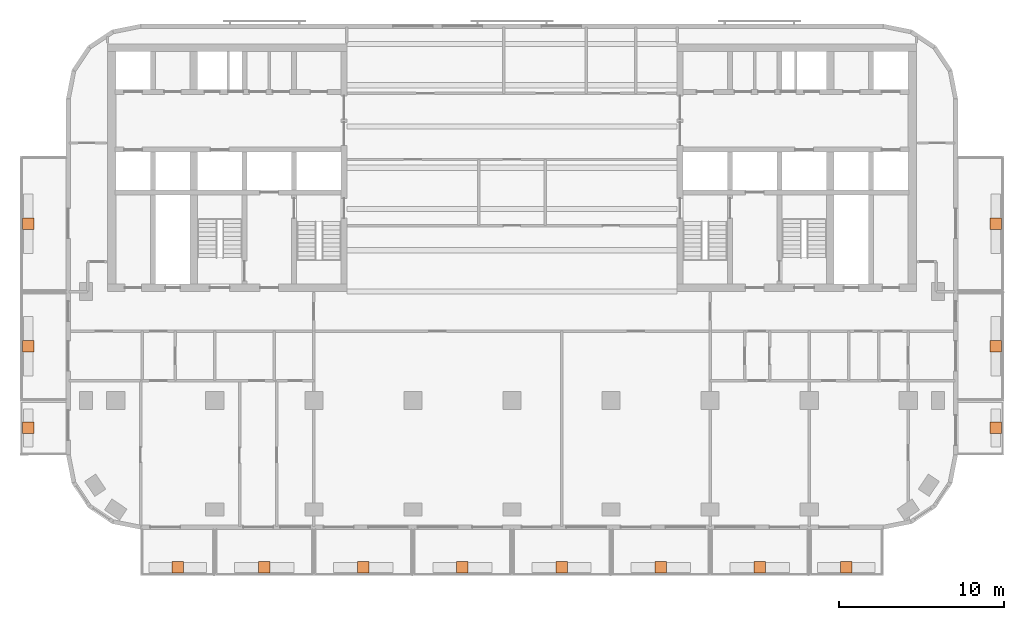
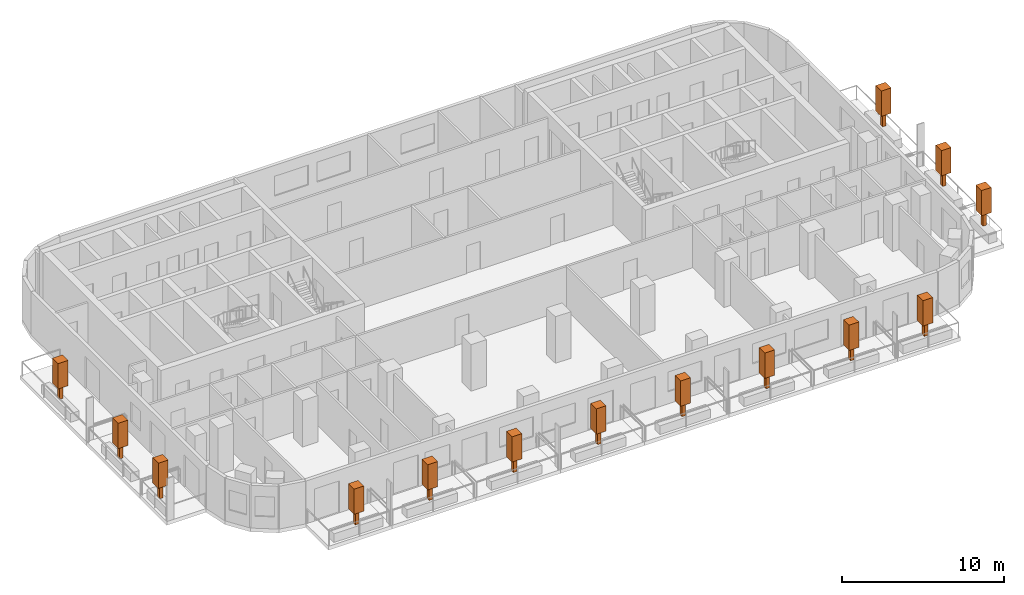
# One storey, part 11 of 11: 14 geographic elements.
"""IFC4 building model written with IfcOpenShell, lengths in metres."""

from ifc_helpers import new_model, si_unit, direction, frame, origin, origin_2d, place, context, subcontext, project, spatial, rectangle, extrude, material, element, save


model = new_model("IFC4")

# Units and contexts
model_context = context("Model", 3, precision=1e-05, world=origin(), true_north=direction((0.0, 1.0)))
body_context = subcontext(model_context, "Body", "Model", "MODEL_VIEW")
ifc_project = project(units=[si_unit("LENGTHUNIT", "METRE"), si_unit("AREAUNIT", "SQUARE_METRE"), si_unit("VOLUMEUNIT", "CUBIC_METRE"), si_unit("PLANEANGLEUNIT", "RADIAN"), si_unit("MASSUNIT", "GRAM", prefix="KILO")], contexts=[model_context])

# Site, building, storey
site_placement = place(None, origin())
site = spatial("IfcSite", under=ifc_project, at=site_placement, CompositionType="ELEMENT")
building_placement = place(site_placement, origin())
building = spatial("IfcBuilding", under=site, at=building_placement, Name="Torana Hotel and Residences", CompositionType="ELEMENT")
storey_placement = place(building_placement, frame((0.0, 0.0, 211.60009765625)))
storey = spatial("IfcBuildingStorey", under=building, at=storey_placement, Name="L55", CompositionType="ELEMENT", Elevation=211.60009765625)

# Geographic elements
ifc_material = material(Name="Foliage", Category="planting")
for number, where, z_axis, x_axis, name in (
    (1, (-20.25, -31.699951171875, 0.64990234375), (0.0, 0.0, 1.0), (1.0, 0.0, 0.0), "Tree 01"),
    (2, (-15.0, -31.699951171875, 0.64990234375), (0.0, 0.0, 1.0), (1.0, 0.0, 0.0), "Tree 02"),
    (3, (-9.0, -31.699951171875, 0.64990234375), (0.0, 0.0, 1.0), (1.0, 0.0, 0.0), "Tree 03"),
    (4, (-3.0, -31.699951171875, 0.64990234375), (0.0, 0.0, 1.0), (1.0, 0.0, 0.0), "Tree 04"),
    (5, (3.0, -31.699951171875, 0.64990234375), (0.0, 0.0, 1.0), (1.0, 0.0, 0.0), "Tree 05"),
    (6, (9.0, -31.699951171875, 0.64990234375), (0.0, 0.0, 1.0), (1.0, 0.0, 0.0), "Tree 06"),
    (7, (15.0, -31.699951171875, 0.64990234375), (0.0, 0.0, 1.0), (1.0, 0.0, 0.0), "Tree 07"),
    (8, (20.25, -31.699951171875, 0.64990234375), (0.0, 0.0, 1.0), (1.0, 0.0, 0.0), "Tree 08"),
    (9, (-29.300048828125, -23.25, 0.64990234375), (0.0, 0.0, 1.0), (1.0, 0.0, 0.0), "Tree 09"),
    (10, (-29.300048828125, -18.300048828125, 0.64990234375), (0.0, 0.0, 1.0), (1.0, 0.0, 0.0), "Tree 10"),
    (11, (-29.300048828125, -10.89990234375, 0.64990234375), (0.0, 0.0, 1.0), (1.0, 0.0, 0.0), "Tree 11"),
    (12, (29.300048828125, -23.25, 0.64990234375), (0.0, 0.0, 1.0), (1.0, 0.0, 0.0), "Tree 12"),
    (13, (29.300048828125, -18.300048828125, 0.64990234375), (0.0, 0.0, 1.0), (1.0, 0.0, 0.0), "Tree 13"),
    (14, (29.300048828125, -10.89990234375, 0.64990234375), (0.0, 0.0, 1.0), (1.0, 0.0, 0.0), "Tree 14"),
):
    element("IfcGeographicElement", number, at=place(storey_placement, frame(where, z_axis=z_axis, x_axis=x_axis)), inside=storey, material=ifc_material, Name=name, ObjectType="TREE", PredefinedType="USERDEFINED", context=body_context, shape_type="SweptSolid", body=[
        extrude(rectangle(XDim=0.25, YDim=0.25, at=origin_2d()), origin(), (0.0, 0.0, 1.0), 1.0),
        extrude(rectangle(XDim=0.699951171875, YDim=0.699951171875, at=origin_2d()), frame((0.0, 0.0, 1.0)), (0.0, 0.0, 1.0), 1.89990234375),
    ])

save(model, "model.ifc")
